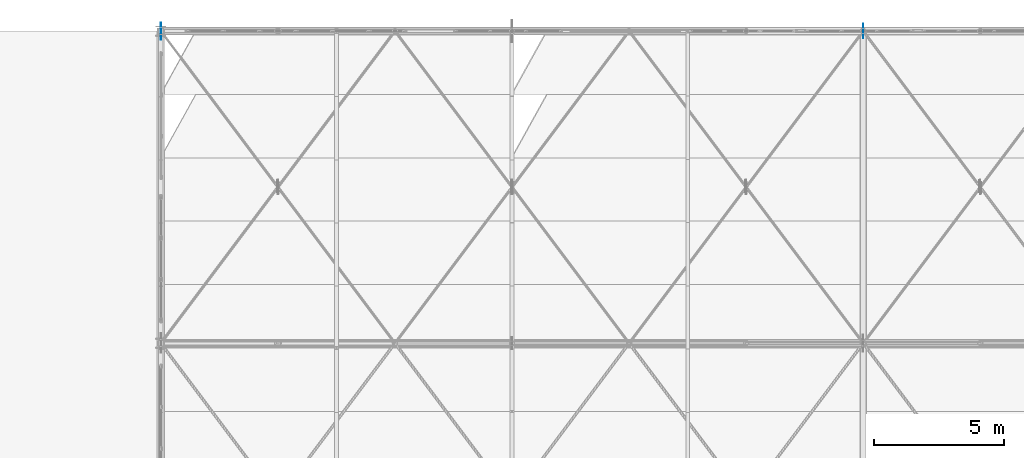
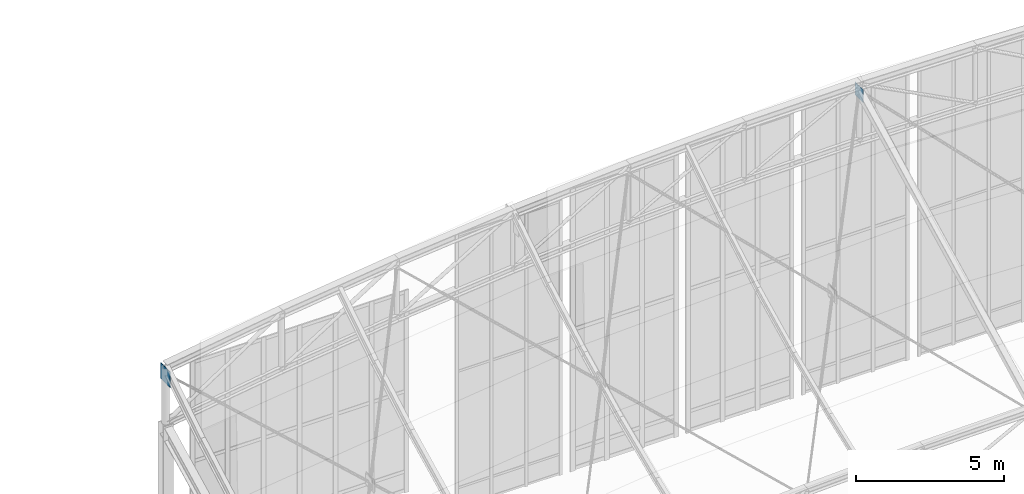
# One storey, part 258 of 262: 2 plates.
"""IFC4 building model written with IfcOpenShell, lengths in metres."""

from ifc_helpers import new_model, si_unit, derived_unit, direction, frame, origin, origin_2d, place, context, subcontext, project, spatial, rectangle, extrude, material, layer, layer_set, type_object, element, save


model = new_model("IFC4")

# Units and contexts
model_context = context("Model", 3, precision=1e-05, world=origin(), true_north=direction((0.0, 1.0)))
body_context = subcontext(model_context, "Body", "Model", "MODEL_VIEW")
ifc_project = project(units=[si_unit("LENGTHUNIT", "METRE"), si_unit("AREAUNIT", "SQUARE_METRE"), si_unit("VOLUMEUNIT", "CUBIC_METRE"), si_unit("PLANEANGLEUNIT", "RADIAN"), si_unit("MASSUNIT", "GRAM", prefix="KILO"), derived_unit("THERMALTRANSMITTANCEUNIT", [(si_unit("POWERUNIT", "WATT"), 1), (si_unit("LENGTHUNIT", "METRE"), -2), (si_unit("THERMODYNAMICTEMPERATUREUNIT", "KELVIN"), -1)])], contexts=[model_context])

# Site, building, storey
site_placement = place(None, origin())
site = spatial("IfcSite", under=ifc_project, at=site_placement, CompositionType="ELEMENT")
building_placement = place(site_placement, origin())
building = spatial("IfcBuilding", under=site, at=building_placement, Name="Almenara Railside Exhibition Hall", CompositionType="ELEMENT")
storey_placement = place(building_placement, frame((0.0, 0.0, 21.699951171875)))
storey = spatial("IfcBuildingStorey", under=building, at=storey_placement, Name="RF", CompositionType="ELEMENT", Elevation=21.699951171875)

# Plates
ifc_material = material(Name="Structural steel S355JR", Category="steel")
ifc_layer_1 = layer(ifc_material, 0.01611328125, Name="Structural steel S355JR")
ifc_layer_set_1 = layer_set([ifc_layer_1], Name="Structural steel S355JR")
plate_type_1 = type_object("IfcPlateType", Name="Truss Node Gusset Plate 16mm S355JR", PredefinedType="USERDEFINED", material=ifc_layer_set_1)
plate_1_placement = place(storey_placement, frame((39.0, 132.0, 10.47509765625), z_axis=(0.0, 0.0, 1.0), x_axis=(0.0, 1.0, 0.0)))
element("IfcPlate", 1, at=plate_1_placement, inside=storey, type_object=plate_type_1, Name="PLT-GUS-0038", ObjectType="GUSSET_PLATE", PredefinedType="USERDEFINED", context=body_context, shape_type="SweptSolid", body=[
    extrude(rectangle(XDim=0.550048828125, YDim=0.01611328125, at=origin_2d()), origin(), (0.0, 0.0, 1.0), 0.550048828125),
])
ifc_layer_2 = layer(ifc_material, 0.02001953125, Name="Structural steel S355JR")
ifc_layer_set_2 = layer_set([ifc_layer_2], Name="Structural steel S355JR")
plate_type_2 = type_object("IfcPlateType", Name="Truss Node Gusset Plate 20mm S355JR", PredefinedType="USERDEFINED", material=ifc_layer_set_2)
plate_2_placement = place(storey_placement, frame((12.0, 132.0, 8.22509765625), z_axis=(0.0, 0.0, 1.0), x_axis=(0.0, 1.0, 0.0)))
element("IfcPlate", 2, at=plate_2_placement, inside=storey, type_object=plate_type_2, Name="PLT-GUS-0036", ObjectType="GUSSET_PLATE", PredefinedType="USERDEFINED", context=body_context, shape_type="SweptSolid", body=[
    extrude(rectangle(XDim=0.64990234375, YDim=0.02001953125, at=origin_2d()), origin(), (0.0, 0.0, 1.0), 0.64990234375),
])

save(model, "model.ifc")
